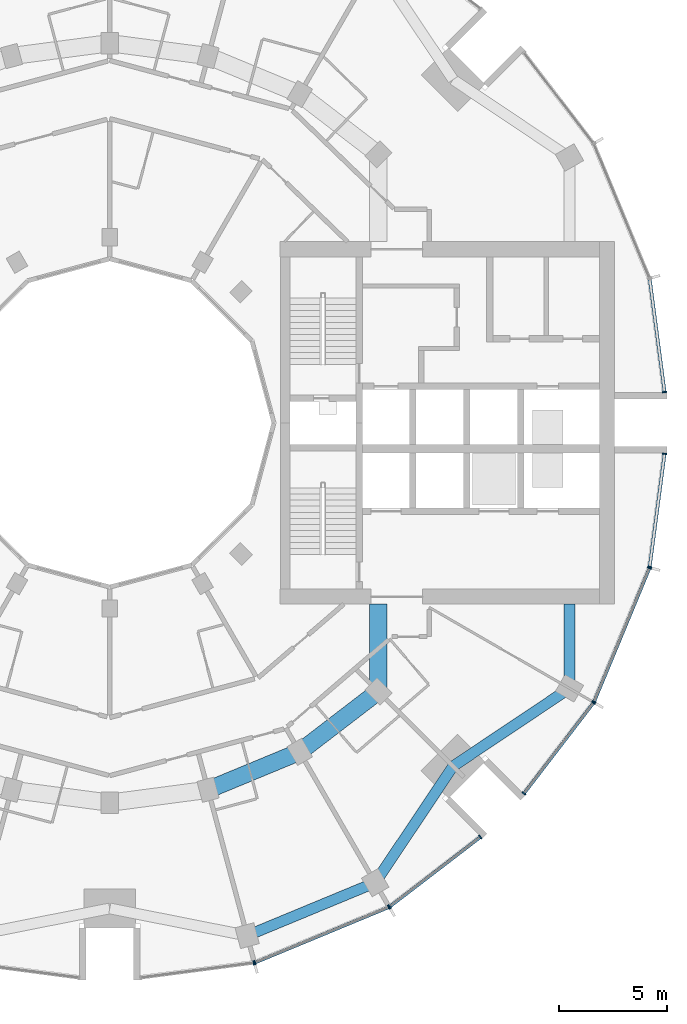
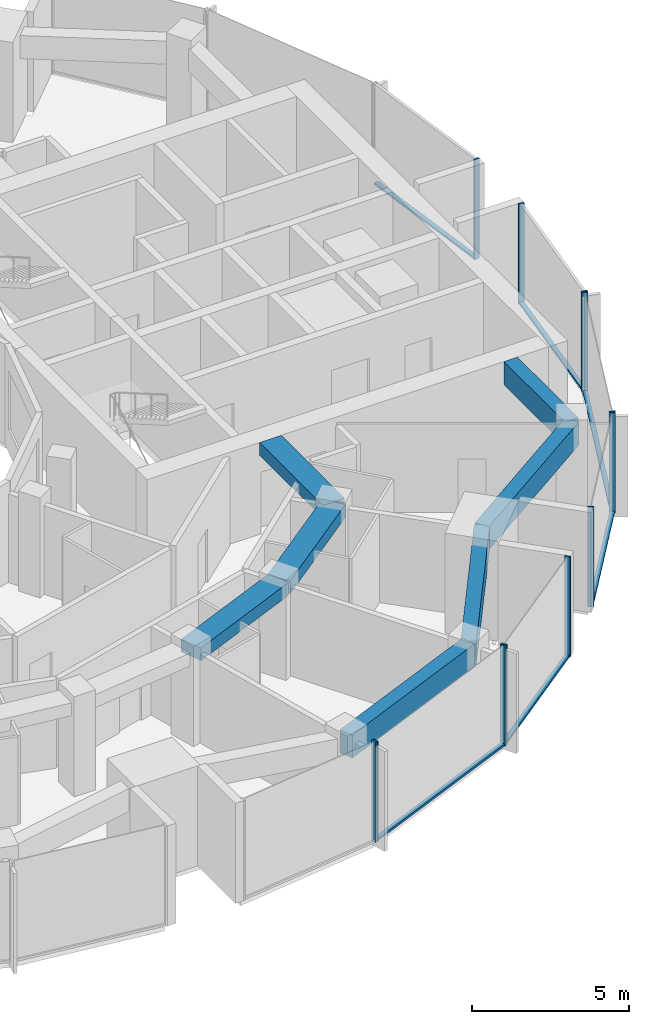
# One storey, part 4 of 15: 18 members, 7 beams, 7 elements without a shape of their own.
"""IFC4 building model written with IfcOpenShell, lengths in metres."""

from ifc_helpers import new_model, si_unit, direction, frame, origin, origin_2d, place, context, subcontext, project, spatial, rectangle, extrude, material, layer, layer_set, material_profile, profile_set, type_object, element, aggregate, save


model = new_model("IFC4")

# Units and contexts
model_context = context("Model", 3, precision=1e-05, world=origin(), true_north=direction((0.0, 1.0)))
body_context = subcontext(model_context, "Body", "Model", "MODEL_VIEW")
ifc_project = project(units=[si_unit("LENGTHUNIT", "METRE"), si_unit("AREAUNIT", "SQUARE_METRE"), si_unit("VOLUMEUNIT", "CUBIC_METRE"), si_unit("PLANEANGLEUNIT", "RADIAN"), si_unit("MASSUNIT", "GRAM", prefix="KILO")], contexts=[model_context])

# Site, building, storey
site_placement = place(None, origin())
site = spatial("IfcSite", under=ifc_project, at=site_placement, CompositionType="ELEMENT")
building_placement = place(site_placement, origin())
building = spatial("IfcBuilding", under=site, at=building_placement, Name="Torre Brocal", CompositionType="ELEMENT")
storey_placement = place(building_placement, frame((0.0, 0.0, 122.39990234375)))
storey = spatial("IfcBuildingStorey", under=building, at=storey_placement, Name="L28", CompositionType="ELEMENT", Elevation=122.39990234375)

# Curtain wall, member
ifc_material_1 = material(Name="Aluminium and glass", Category="aluminium")
ifc_layer_1 = layer(ifc_material_1, 0.199951171875)
ifc_layer_set_1 = layer_set([ifc_layer_1], Name="Aluminium and glass")
curtain_wall_type_1 = type_object("IfcCurtainWallType", Name="CW-1 CURTAIN WALL 3900 HIGH", PredefinedType="NOTDEFINED", material=ifc_layer_set_1)
curtain_wall_1_placement = place(storey_placement, origin())
curtain_wall_1 = element("IfcCurtainWall", 1, at=curtain_wall_1_placement, inside=storey, type_object=curtain_wall_type_1, Name="CW-1 RUN 19", PredefinedType="NOTDEFINED")
ifc_material_2 = material(Name="Aluminium, dark anodised", Category="aluminium")
ifc_material_profile_1 = material_profile(ifc_material_2, rectangle(XDim=0.199951171875, YDim=0.06005859375, at=origin_2d()), Name="CW-1 MULLION 60X200")
ifc_profile_set_1 = profile_set([ifc_material_profile_1], Name="Aluminium, dark anodised")
member_type_1 = type_object("IfcMemberType", Name="CW-1 MULLION 60X200", PredefinedType="MULLION", material=ifc_profile_set_1)
member_1_placement = place(storey_placement, frame((86.67333984375, 49.9794921875, 0.0), z_axis=(0.0, 0.0, 1.0), x_axis=(-0.13052619222, 0.991444861374, 0.0)))
member_1 = element("IfcMember", 2, at=member_1_placement, type_object=member_type_1, Name="CW1-3 mullion 2", PredefinedType="MULLION", context=body_context, shape_type="SweptSolid", body=[
    extrude(rectangle(XDim=0.199951171875, YDim=0.06005859375, at=origin_2d()), origin(), (0.0, 0.0, 1.0), 3.900146484375),
])
aggregate(curtain_wall_1, [member_1])

# Curtain wall, members
curtain_wall_2_placement = place(storey_placement, origin())
curtain_wall_2 = element("IfcCurtainWall", 3, at=curtain_wall_2_placement, inside=storey, type_object=curtain_wall_type_1, Name="CW-1 RUN 20", PredefinedType="NOTDEFINED")
member_2_placement = place(storey_placement, frame((86.73095703125, 49.994873046875, 0.0), z_axis=(0.0, 0.0, 1.0), x_axis=(-0.382683432333, 0.923879532525, 0.0)))
member_2 = element("IfcMember", 4, at=member_2_placement, type_object=member_type_1, Name="CW1-3 mullion 1", PredefinedType="MULLION", context=body_context, shape_type="SweptSolid", body=[
    extrude(rectangle(XDim=0.199951171875, YDim=0.06005859375, at=origin_2d()), origin(), (0.0, 0.0, 1.0), 3.900146484375),
])
member_3_placement = place(storey_placement, frame((92.921875, 52.559326171875, 0.0), z_axis=(0.0, 0.0, 1.0), x_axis=(-0.382683432333, 0.923879532525, 0.0)))
member_3 = element("IfcMember", 5, at=member_3_placement, type_object=member_type_1, Name="CW1-3 mullion 2", PredefinedType="MULLION", context=body_context, shape_type="SweptSolid", body=[
    extrude(rectangle(XDim=0.199951171875, YDim=0.06005859375, at=origin_2d()), origin(), (0.0, 0.0, 1.0), 3.900146484375),
])

curtain_wall_3_placement = place(storey_placement, origin())
curtain_wall_3 = element("IfcCurtainWall", 6, at=curtain_wall_3_placement, inside=storey, type_object=curtain_wall_type_1, Name="CW-1 RUN 21", PredefinedType="NOTDEFINED")
member_4_placement = place(storey_placement, frame((92.973388671875, 52.5888671875, 0.0), z_axis=(0.0, 0.0, 1.0), x_axis=(-0.60876142905, 0.793353340259, 0.0)))
member_4 = element("IfcMember", 7, at=member_4_placement, type_object=member_type_1, Name="CW1-3 mullion 1", PredefinedType="MULLION", context=body_context, shape_type="SweptSolid", body=[
    extrude(rectangle(XDim=0.199951171875, YDim=0.06005859375, at=origin_2d()), origin(), (0.0, 0.0, 1.0), 3.900146484375),
])
member_5_placement = place(storey_placement, frame((97.16943359375, 55.80859375, 0.0), z_axis=(0.0, 0.0, 1.0), x_axis=(-0.60876142905, 0.793353340259, 0.0)))
member_5 = element("IfcMember", 8, at=member_5_placement, type_object=member_type_1, Name="CW1-3 mullion 2", PredefinedType="MULLION", context=body_context, shape_type="SweptSolid", body=[
    extrude(rectangle(XDim=0.199951171875, YDim=0.06005859375, at=origin_2d()), origin(), (0.0, 0.0, 1.0), 3.900146484375),
])

curtain_wall_4_placement = place(storey_placement, origin())
curtain_wall_4 = element("IfcCurtainWall", 9, at=curtain_wall_4_placement, inside=storey, type_object=curtain_wall_type_1, Name="CW-1 RUN 22", PredefinedType="NOTDEFINED")
member_6_placement = place(storey_placement, frame((99.19140625, 57.83056640625, 0.0), z_axis=(0.0, 0.0, 1.0), x_axis=(-0.793353340259, 0.60876142905, 0.0)))
member_6 = element("IfcMember", 10, at=member_6_placement, type_object=member_type_1, Name="CW1-3 mullion 1", PredefinedType="MULLION", context=body_context, shape_type="SweptSolid", body=[
    extrude(rectangle(XDim=0.199951171875, YDim=0.06005859375, at=origin_2d()), origin(), (0.0, 0.0, 1.0), 3.900146484375),
])
member_7_placement = place(storey_placement, frame((102.4111328125, 62.026611328125, 0.0), z_axis=(0.0, 0.0, 1.0), x_axis=(-0.793353340259, 0.60876142905, 0.0)))
member_7 = element("IfcMember", 11, at=member_7_placement, type_object=member_type_1, Name="CW1-3 mullion 2", PredefinedType="MULLION", context=body_context, shape_type="SweptSolid", body=[
    extrude(rectangle(XDim=0.199951171875, YDim=0.06005859375, at=origin_2d()), origin(), (0.0, 0.0, 1.0), 3.900146484375),
])

curtain_wall_5_placement = place(storey_placement, origin())
curtain_wall_5 = element("IfcCurtainWall", 12, at=curtain_wall_5_placement, inside=storey, type_object=curtain_wall_type_1, Name="CW-1 RUN 23", PredefinedType="NOTDEFINED")
member_8_placement = place(storey_placement, frame((102.440673828125, 62.078125, 0.0), z_axis=(0.0, 0.0, 1.0), x_axis=(-0.923879532525, 0.382683432333, 0.0)))
member_8 = element("IfcMember", 13, at=member_8_placement, type_object=member_type_1, Name="CW1-3 mullion 1", PredefinedType="MULLION", context=body_context, shape_type="SweptSolid", body=[
    extrude(rectangle(XDim=0.199951171875, YDim=0.06005859375, at=origin_2d()), origin(), (0.0, 0.0, 1.0), 3.900146484375),
])
member_9_placement = place(storey_placement, frame((105.005126953125, 68.26904296875, 0.0), z_axis=(0.0, 0.0, 1.0), x_axis=(-0.923879532525, 0.382683432333, 0.0)))
member_9 = element("IfcMember", 14, at=member_9_placement, type_object=member_type_1, Name="CW1-3 mullion 2", PredefinedType="MULLION", context=body_context, shape_type="SweptSolid", body=[
    extrude(rectangle(XDim=0.199951171875, YDim=0.06005859375, at=origin_2d()), origin(), (0.0, 0.0, 1.0), 3.900146484375),
])

# Member
ifc_material_3 = material(Name="Aluminium, dark anodised", Category="aluminium")
ifc_material_profile_2 = material_profile(ifc_material_3, rectangle(XDim=0.159912109375, YDim=0.080078125, at=origin_2d()), Name="CW-1 TRANSOM 160X80")
ifc_profile_set_2 = profile_set([ifc_material_profile_2], Name="Aluminium, dark anodised")
member_type_2 = type_object("IfcMemberType", Name="CW-1 TRANSOM 160X80", PredefinedType="USERDEFINED", material=ifc_profile_set_2)
member_10_placement = place(storey_placement, frame((86.758544921875, 50.00634765625, 0.0400390625), z_axis=(0.923887344364, 0.38266457234, 0.0), x_axis=(-0.38266457234, 0.923887344364, 0.0)))
member_10 = element("IfcMember", 15, at=member_10_placement, type_object=member_type_2, Name="CW1-3 transom 1.1", ObjectType="TRANSOM", PredefinedType="USERDEFINED", context=body_context, shape_type="SweptSolid", body=[
    extrude(rectangle(XDim=0.159912109375, YDim=0.080078125, at=origin_2d()), origin(), (0.0, 0.0, 1.0), 6.640869140625),
])

aggregate(curtain_wall_2, [member_2, member_3, member_10])

member_11_placement = place(storey_placement, frame((92.9970703125, 52.607177734375, 0.0400390625), z_axis=(0.79336281513, 0.60874908096, 0.0), x_axis=(-0.60874908096, 0.79336281513, 0.0)))
member_11 = element("IfcMember", 16, at=member_11_placement, type_object=member_type_2, Name="CW1-3 transom 1.1", ObjectType="TRANSOM", PredefinedType="USERDEFINED", context=body_context, shape_type="SweptSolid", body=[
    extrude(rectangle(XDim=0.159912109375, YDim=0.080078125, at=origin_2d()), origin(), (0.0, 0.0, 1.0), 5.22900390625),
])

aggregate(curtain_wall_3, [member_4, member_5, member_11])

member_12_placement = place(storey_placement, frame((99.209716796875, 57.8544921875, 0.0400390625), z_axis=(0.60874908096, 0.79336281513, 0.0), x_axis=(-0.79336281513, 0.60874908096, 0.0)))
member_12 = element("IfcMember", 17, at=member_12_placement, type_object=member_type_2, Name="CW1-3 transom 1.1", ObjectType="TRANSOM", PredefinedType="USERDEFINED", context=body_context, shape_type="SweptSolid", body=[
    extrude(rectangle(XDim=0.159912109375, YDim=0.080078125, at=origin_2d()), origin(), (0.0, 0.0, 1.0), 5.22900390625),
])

aggregate(curtain_wall_4, [member_6, member_7, member_12])

member_13_placement = place(storey_placement, frame((102.452392578125, 62.10595703125, 0.0400390625), z_axis=(0.38266457234, 0.923887344364, 0.0), x_axis=(-0.923887344364, 0.38266457234, 0.0)))
member_13 = element("IfcMember", 18, at=member_13_placement, type_object=member_type_2, Name="CW1-3 transom 1.1", ObjectType="TRANSOM", PredefinedType="USERDEFINED", context=body_context, shape_type="SweptSolid", body=[
    extrude(rectangle(XDim=0.159912109375, YDim=0.080078125, at=origin_2d()), origin(), (0.0, 0.0, 1.0), 6.640869140625),
])

aggregate(curtain_wall_5, [member_8, member_9, member_13])

# Curtain wall, member
ifc_material_4 = material(Name="Aluminium and glass", Category="aluminium")
ifc_layer_2 = layer(ifc_material_4, 0.199951171875)
ifc_layer_set_2 = layer_set([ifc_layer_2], Name="Aluminium and glass")
curtain_wall_type_2 = type_object("IfcCurtainWallType", Name="CW-1B CURTAIN WALL 3900 HIGH", PredefinedType="NOTDEFINED", material=ifc_layer_set_2)
curtain_wall_6_placement = place(storey_placement, origin())
curtain_wall_6 = element("IfcCurtainWall", 19, at=curtain_wall_6_placement, inside=storey, type_object=curtain_wall_type_2, Name="CW-1B RUN 1", PredefinedType="NOTDEFINED")
ifc_material_5 = material(Name="Aluminium, dark anodised", Category="aluminium")
ifc_material_profile_3 = material_profile(ifc_material_5, rectangle(XDim=0.199951171875, YDim=0.06005859375, at=origin_2d()), Name="CW-1B MULLION 60X200")
ifc_profile_set_3 = profile_set([ifc_material_profile_3], Name="Aluminium, dark anodised")
member_type_3 = type_object("IfcMemberType", Name="CW-1B MULLION 60X200", PredefinedType="MULLION", material=ifc_profile_set_3)
member_14_placement = place(storey_placement, frame((105.7109375, 76.4296875, 0.0), z_axis=(0.0, 0.0, 1.0), x_axis=(-0.991444861374, -0.13052619222, 0.0)))
member_14 = element("IfcMember", 20, at=member_14_placement, type_object=member_type_3, Name="CW1B-3 mullion 1", PredefinedType="MULLION", context=body_context, shape_type="SweptSolid", body=[
    extrude(rectangle(XDim=0.199951171875, YDim=0.06005859375, at=origin_2d()), origin(), (0.0, 0.0, 1.0), 3.900146484375),
])

# Curtain wall, members
curtain_wall_7_placement = place(storey_placement, origin())
curtain_wall_7 = element("IfcCurtainWall", 21, at=curtain_wall_7_placement, inside=storey, type_object=curtain_wall_type_2, Name="CW-1B RUN 24", PredefinedType="NOTDEFINED")
member_15_placement = place(storey_placement, frame((105.0205078125, 68.32666015625, 0.0), z_axis=(0.0, 0.0, 1.0), x_axis=(-0.991444861374, 0.13052619222, 0.0)))
member_15 = element("IfcMember", 22, at=member_15_placement, type_object=member_type_3, Name="CW1B-3 mullion 1", PredefinedType="MULLION", context=body_context, shape_type="SweptSolid", body=[
    extrude(rectangle(XDim=0.199951171875, YDim=0.06005859375, at=origin_2d()), origin(), (0.0, 0.0, 1.0), 3.900146484375),
])
member_16_placement = place(storey_placement, frame((105.7109375, 73.5703125, 0.0), z_axis=(0.0, 0.0, 1.0), x_axis=(-0.991444861374, 0.13052619222, 0.0)))
member_16 = element("IfcMember", 23, at=member_16_placement, type_object=member_type_3, Name="CW1B-3 mullion 2", PredefinedType="MULLION", context=body_context, shape_type="SweptSolid", body=[
    extrude(rectangle(XDim=0.199951171875, YDim=0.06005859375, at=origin_2d()), origin(), (0.0, 0.0, 1.0), 3.900146484375),
])

# Member
ifc_material_6 = material(Name="Aluminium, dark anodised", Category="aluminium")
ifc_material_profile_4 = material_profile(ifc_material_6, rectangle(XDim=0.159912109375, YDim=0.080078125, at=origin_2d()), Name="CW-1B TRANSOM 160X80")
ifc_profile_set_4 = profile_set([ifc_material_profile_4], Name="Aluminium, dark anodised")
member_type_4 = type_object("IfcMemberType", Name="CW-1B TRANSOM 160X80", PredefinedType="USERDEFINED", material=ifc_profile_set_4)
member_17_placement = place(storey_placement, frame((105.70703125, 76.45947265625, 0.0400390625), z_axis=(-0.130542677827, 0.991442690863, 0.0), x_axis=(-0.991442690863, -0.130542677827, 0.0)))
member_17 = element("IfcMember", 24, at=member_17_placement, type_object=member_type_4, Name="CW1B-3 transom 1.1", ObjectType="TRANSOM", PredefinedType="USERDEFINED", context=body_context, shape_type="SweptSolid", body=[
    extrude(rectangle(XDim=0.159912109375, YDim=0.080078125, at=origin_2d()), origin(), (0.0, 0.0, 1.0), 5.22900390625),
])

aggregate(curtain_wall_6, [member_14, member_17])

member_18_placement = place(storey_placement, frame((105.0244140625, 68.356201171875, 0.0400390625), z_axis=(0.130542677827, 0.991442690863, 0.0), x_axis=(-0.991442690863, 0.130542677827, 0.0)))
member_18 = element("IfcMember", 25, at=member_18_placement, type_object=member_type_4, Name="CW1B-3 transom 1.1", ObjectType="TRANSOM", PredefinedType="USERDEFINED", context=body_context, shape_type="SweptSolid", body=[
    extrude(rectangle(XDim=0.159912109375, YDim=0.080078125, at=origin_2d()), origin(), (0.0, 0.0, 1.0), 5.22900390625),
])

aggregate(curtain_wall_7, [member_15, member_16, member_18])

# Beams
ifc_material_7 = material(Name="Concrete C50", Category="concrete")
ifc_material_profile_5 = material_profile(ifc_material_7, rectangle(XDim=0.800048828125, YDim=0.5, at=origin_2d()), Name="RC 800X500")
ifc_profile_set_5 = profile_set([ifc_material_profile_5], Name="Concrete C50")
beam_type_1 = type_object("IfcBeamType", Name="RC BEAM 800X500 C50 TOP 3580", PredefinedType="BEAM", material=ifc_profile_set_5)
beam_1_placement = place(storey_placement, frame((84.55517578125, 57.999755859375, 3.330078125), z_axis=(0.923878240166, 0.382686552348, 0.0), x_axis=(-0.382686552348, 0.923878240166, 0.0)))
element("IfcBeam", 26, at=beam_1_placement, inside=storey, type_object=beam_type_1, Name="Beam BT-28", PredefinedType="BEAM", context=body_context, shape_type="SweptSolid", body=[
    extrude(rectangle(XDim=0.800048828125, YDim=0.5, at=origin_2d()), origin(), (0.0, 0.0, 1.0), 4.5947265625),
])
beam_2_placement = place(storey_placement, frame((88.800048828125, 59.758056640625, 3.330078125), z_axis=(0.793358265959, 0.6087550097, 0.0), x_axis=(-0.6087550097, 0.793358265959, 0.0)))
element("IfcBeam", 27, at=beam_2_placement, inside=storey, type_object=beam_type_1, Name="Beam BT-28", PredefinedType="BEAM", context=body_context, shape_type="SweptSolid", body=[
    extrude(rectangle(XDim=0.800048828125, YDim=0.5, at=origin_2d()), origin(), (0.0, 0.0, 1.0), 4.594482421875),
])
beam_3_placement = place(storey_placement, frame((92.445068359375, 62.554931640625, 3.330078125), z_axis=(0.0, 1.0, 0.0), x_axis=(-1.0, 0.0, 0.0)))
element("IfcBeam", 28, at=beam_3_placement, inside=storey, type_object=beam_type_1, Name="Beam BT-28", PredefinedType="BEAM", context=body_context, shape_type="SweptSolid", body=[
    extrude(rectangle(XDim=0.800048828125, YDim=0.5, at=origin_2d()), origin(), (0.0, 0.0, 1.0), 4.045166015625),
])
ifc_material_8 = material(Name="Concrete C50", Category="concrete")
ifc_material_profile_6 = material_profile(ifc_material_8, rectangle(XDim=0.5, YDim=0.89990234375, at=origin_2d()), Name="RC 500X900")
ifc_profile_set_6 = profile_set([ifc_material_profile_6], Name="Concrete C50")
beam_type_2 = type_object("IfcBeamType", Name="RC SPANDREL BEAM 500X900 C50 TOP 3580", PredefinedType="SPANDREL", material=ifc_profile_set_6)
beam_4_placement = place(storey_placement, frame((86.366943359375, 51.23828125, 3.130126953125), z_axis=(0.923882462513, 0.382676358639, 0.0), x_axis=(-0.382676358639, 0.923882462513, 0.0)))
element("IfcBeam", 29, at=beam_4_placement, inside=storey, type_object=beam_type_2, Name="Beam BT-29", PredefinedType="SPANDREL", context=body_context, shape_type="SweptSolid", body=[
    extrude(rectangle(XDim=0.5, YDim=0.89990234375, at=origin_2d()), origin(), (0.0, 0.0, 1.0), 6.421875),
])
for number, where, z_axis, x_axis, name in (
    (30, (92.300048828125, 53.69580078125, 3.130126953125), (0.556157602282, 0.831076844476, 0.0), (-0.831076844476, 0.556157602282, 0.0), "Beam BT-29"),
    (31, (95.909912109375, 59.090087890625, 3.130126953125), (0.831076844476, 0.556157602282, 0.0), (-0.556157602282, 0.831076844476, 0.0), "Beam BT-29"),
):
    element("IfcBeam", number, at=place(storey_placement, frame(where, z_axis=z_axis, x_axis=x_axis)), inside=storey, type_object=beam_type_2, Name=name, PredefinedType="SPANDREL", context=body_context, shape_type="SweptSolid", body=[
        extrude(rectangle(XDim=0.5, YDim=0.89990234375, at=origin_2d()), origin(), (0.0, 0.0, 1.0), 6.49072265625),
    ])
beam_5_placement = place(storey_placement, frame((101.30419921875, 62.699951171875, 3.130126953125), z_axis=(0.0, 1.0, 0.0), x_axis=(-1.0, 0.0, 0.0)))
element("IfcBeam", 32, at=beam_5_placement, inside=storey, type_object=beam_type_2, Name="Beam BT-29", PredefinedType="SPANDREL", context=body_context, shape_type="SweptSolid", body=[
    extrude(rectangle(XDim=0.5, YDim=0.89990234375, at=origin_2d()), origin(), (0.0, 0.0, 1.0), 3.900146484375),
])

save(model, "model.ifc")
